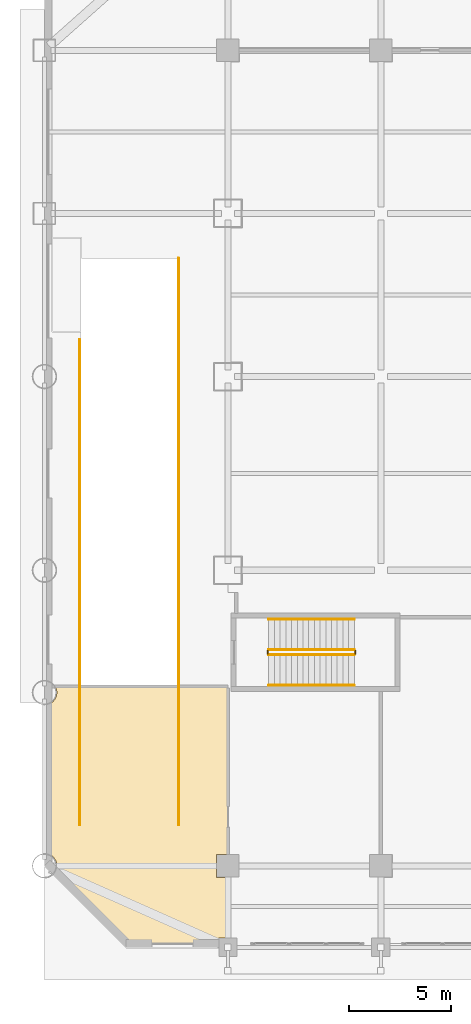
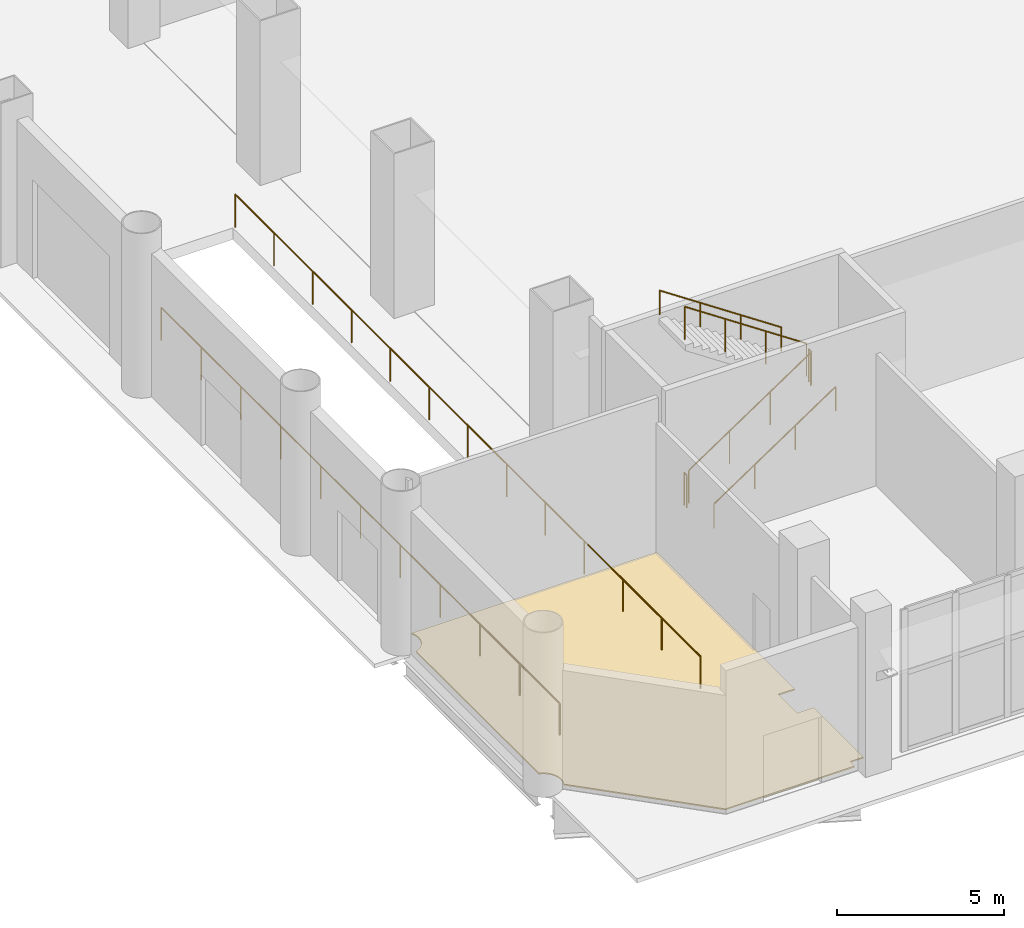
# One storey, part 15 of 19: 8 railings, 1 covering.
"""IFC4 building model written with IfcOpenShell, lengths in metres."""

import ifcopenshell
import ifcopenshell.guid

model = None  # the IFC model being written
_history = None  # IfcOwnerHistory: only IFC2X3 demands one
_inside = {}  # id of a spatial element -> (the spatial element, [elements in it])
_under = {}  # id of a project, library or spatial element -> (it, [spatial elements below it])
_declared = {}  # id of a project -> (the project, [libraries it declares])
_typed = {}  # id of a type object -> (the type object, [elements of that type])
_made_of = {}  # id of a material, layer set ... -> (it, [elements and type objects made of it])


def new_model(schema):
    """Start an empty IFC model of exactly this schema.

    Asked for "IFC4X3", IfcOpenShell would pick the latest addendum, in which some entities
    have other attributes; the version numbers below select the first issue.
    IFC2X3 requires an IfcOwnerHistory on every rooted entity: one is made here for all.
    """
    global model, _history
    if schema == "IFC4X3":
        model = ifcopenshell.file(schema_version=(4, 3, 0, 0))
    else:
        model = ifcopenshell.file(schema=schema)
    _inside.clear()
    _under.clear()
    _declared.clear()
    _typed.clear()
    _made_of.clear()
    _history = None
    if model.schema == "IFC2X3":
        org = make("IfcOrganization", Name="unknown")
        user = make(
            "IfcPersonAndOrganization",
            ThePerson=make("IfcPerson", FamilyName="unknown"),
            TheOrganization=org,
        )
        app = make(
            "IfcApplication",
            ApplicationDeveloper=org,
            Version="unknown",
            ApplicationFullName="unknown",
            ApplicationIdentifier="unknown",
        )
        _history = make(
            "IfcOwnerHistory",
            OwningUser=user,
            OwningApplication=app,
            ChangeAction="ADDED",
            CreationDate=0,
        )
    return model


def make(cls, **values):
    """One entity of the class cls with the attributes given. An attribute that is None is left unset."""
    return model.create_entity(
        cls, **{name: value for name, value in values.items() if value is not None}
    )


def rooted(cls, **values):
    """An entity with a GlobalId (a new one), such as an element, a storey or a relation."""
    return make(cls, GlobalId=ifcopenshell.guid.new(), OwnerHistory=_history, **values)


def si_unit(unit_type, name, prefix=None):
    """IfcSIUnit, for example si_unit("LENGTHUNIT", "METRE", prefix="MILLI")."""
    return make("IfcSIUnit", UnitType=unit_type, Prefix=prefix, Name=name)


def assignment(units):
    """IfcUnitAssignment: the units of a project."""
    return None if units is None else make("IfcUnitAssignment", Units=units)


def point(xyz):
    """IfcCartesianPoint."""
    return None if xyz is None else make("IfcCartesianPoint", Coordinates=xyz)


def direction(xyz):
    """IfcDirection."""
    return None if xyz is None else make("IfcDirection", DirectionRatios=xyz)


def frame(location, z_axis=None, x_axis=None):
    """IfcAxis2Placement3D, a coordinate frame: its origin and axes. An axis left out is left unset."""
    return make(
        "IfcAxis2Placement3D",
        Location=point(location),
        Axis=direction(z_axis),
        RefDirection=direction(x_axis),
    )


def frame_2d(location, x_axis=None):
    """IfcAxis2Placement2D, a coordinate frame in the plane: its origin and x axis."""
    return make(
        "IfcAxis2Placement2D", Location=point(location), RefDirection=direction(x_axis)
    )


def origin():
    """The frame at (0, 0, 0) with its axes left unset."""
    return frame((0.0, 0.0, 0.0))


def origin_2d():
    """The frame at (0, 0) in the plane with its x axis left unset."""
    return frame_2d((0.0, 0.0))


def place(relative_to, where):
    """IfcLocalPlacement: puts the frame where relative to a parent placement (None: the world)."""
    return make(
        "IfcLocalPlacement", PlacementRelTo=relative_to, RelativePlacement=where
    )


def context(
    kind, dimensions, precision=None, world=None, true_north=None, identifier=None
):
    """IfcGeometricRepresentationContext, for example the 3D "Model" context."""
    return make(
        "IfcGeometricRepresentationContext",
        ContextIdentifier=identifier,
        ContextType=kind,
        CoordinateSpaceDimension=dimensions,
        Precision=precision,
        WorldCoordinateSystem=world,
        TrueNorth=true_north,
    )


def subcontext(parent, identifier, kind, view, scale=None):
    """IfcGeometricRepresentationSubContext, for example "Body" below "Model"."""
    return make(
        "IfcGeometricRepresentationSubContext",
        ContextIdentifier=identifier,
        ContextType=kind,
        ParentContext=parent,
        TargetScale=scale,
        TargetView=view,
    )


def project(units=None, contexts=None):
    """IfcProject with its units and contexts."""
    return rooted(
        "IfcProject",
        Name="project",
        RepresentationContexts=contexts,
        UnitsInContext=assignment(units),
    )


def spatial(cls, under=None, at=None, **own):
    """A site, building, storey or space (cls), placed at a placement, below another one or the project."""
    s = rooted(cls, ObjectPlacement=at, **own)
    if under is not None:
        _under.setdefault(under.id(), (under, []))[1].append(s)
    return s


def polyline(points):
    """IfcPolyline through the points."""
    return make("IfcPolyline", Points=[point(p) for p in points])


def profile(cls, at=None, kind="AREA", **sizes):
    """A parametric profile (cls). Its sizes go by their IFC names, for example OverallWidth=200.0."""
    return make(cls, ProfileType=kind, Position=at, **sizes)


def circle(**sizes):
    """IfcCircleProfileDef."""
    return profile("IfcCircleProfileDef", **sizes)


def outline(outer, holes=None, kind="AREA"):
    """IfcArbitraryClosedProfileDef: a profile drawn as a closed curve; with holes, ...WithVoids."""
    if holes is None:
        return make("IfcArbitraryClosedProfileDef", ProfileType=kind, OuterCurve=outer)
    return make(
        "IfcArbitraryProfileDefWithVoids",
        ProfileType=kind,
        OuterCurve=outer,
        InnerCurves=holes,
    )


def extrude(swept, where, along, depth):
    """IfcExtrudedAreaSolid: the profile swept, set in the frame where, extruded along a direction by depth."""
    return make(
        "IfcExtrudedAreaSolid",
        SweptArea=swept,
        Position=where,
        ExtrudedDirection=direction(along),
        Depth=depth,
    )


def shape(context_of_items, identifier, shape_type, items):
    """IfcShapeRepresentation: the items that make up one representation, for example the "Body"."""
    return make(
        "IfcShapeRepresentation",
        ContextOfItems=context_of_items,
        RepresentationIdentifier=identifier,
        RepresentationType=shape_type,
        Items=items,
    )


def material(Name=None, Category=None):
    """IfcMaterial."""
    return make("IfcMaterial", Name=Name, Category=Category)


def layer(
    of_material, thickness, ventilated=None, Name=None, Category=None, Priority=None
):
    """IfcMaterialLayer: one layer of a wall or slab, of a material (None: an air gap)."""
    return make(
        "IfcMaterialLayer",
        Material=of_material,
        LayerThickness=thickness,
        IsVentilated=ventilated,
        Name=Name,
        Category=Category,
        Priority=Priority,
    )


def layer_set(layers, Name=None):
    """IfcMaterialLayerSet."""
    return make("IfcMaterialLayerSet", MaterialLayers=layers, LayerSetName=Name)


def made_of(thing, what):
    """Note that an element or type object is made of a material, layer set ...; save() writes the relation."""
    if what is not None:
        _made_of.setdefault(what.id(), (what, []))[1].append(thing)
    return thing


def type_object(cls, material=None, **own):
    """A type object (cls), such as IfcWallType, which elements share."""
    return made_of(rooted(cls, **own), material)


def element(
    cls,
    number,
    at=None,
    inside=None,
    cuts=None,
    type_object=None,
    material=None,
    context=None,
    identifier="Body",
    shape_type=None,
    held_by="IfcProductDefinitionShape",
    body=None,
    shapes=None,
    **own,
):
    """One element of the class cls, such as IfcWall. Its Tag is "e" and its number.

    at: its placement. inside: the storey or other place that contains it. cuts: it is an
    opening in that element (IfcRelVoidsElement). A single representation is given by context,
    identifier, shape_type and body (its items); several are given by shapes. held_by: the class
    of the entity that holds the representations. save() writes the other relations.
    """
    e = rooted(cls, Tag="e%d" % number, ObjectPlacement=at, **own)
    if body is not None:
        shapes = [shape(context, identifier, shape_type, body)]
    if shapes is not None:
        e.Representation = make(held_by, Representations=shapes)
    if inside is not None:
        _inside.setdefault(inside.id(), (inside, []))[1].append(e)
    if cuts is not None:
        rooted(
            "IfcRelVoidsElement", RelatingBuildingElement=cuts, RelatedOpeningElement=e
        )
    if type_object is not None:
        _typed.setdefault(type_object.id(), (type_object, []))[1].append(e)
    return made_of(e, material)


def aggregate(whole, parts):
    """IfcRelAggregates: a whole, such as a stair, and the parts it consists of."""
    return rooted("IfcRelAggregates", RelatingObject=whole, RelatedObjects=parts)


def save(model, path):
    """Write the relations noted so far, then the file.

    IfcRelAggregates (storeys below a building ...), IfcRelContainedInSpatialStructure (elements
    in a storey), IfcRelDefinesByType, IfcRelAssociatesMaterial and IfcRelDeclares: one each for
    every whole, place, type object, material and project.
    """
    for whole, parts in _under.values():
        aggregate(whole, parts)
    for where, things in _inside.values():
        rooted(
            "IfcRelContainedInSpatialStructure",
            RelatedElements=things,
            RelatingStructure=where,
        )
    for kind, things in _typed.values():
        rooted("IfcRelDefinesByType", RelatedObjects=things, RelatingType=kind)
    for what, things in _made_of.values():
        rooted("IfcRelAssociatesMaterial", RelatedObjects=things, RelatingMaterial=what)
    for by, libraries in _declared.values():
        rooted("IfcRelDeclares", RelatingContext=by, RelatedDefinitions=libraries)
    model.write(path)


model = new_model("IFC4")

# Units and contexts
model_context = context("Model", 3, precision=1e-05, world=origin(), true_north=direction((0.0, 1.0)))
body_context = subcontext(model_context, "Body", "Model", "MODEL_VIEW")
ifc_project = project(units=[si_unit("LENGTHUNIT", "METRE"), si_unit("AREAUNIT", "SQUARE_METRE"), si_unit("VOLUMEUNIT", "CUBIC_METRE"), si_unit("PLANEANGLEUNIT", "RADIAN"), si_unit("MASSUNIT", "GRAM", prefix="KILO")], contexts=[model_context])

# Site, building, storey
site_placement = place(None, origin())
site = spatial("IfcSite", under=ifc_project, at=site_placement, CompositionType="ELEMENT")
building_placement = place(site_placement, origin())
building = spatial("IfcBuilding", under=site, at=building_placement, Name="Qianrong Seaharbour Tower", CompositionType="ELEMENT")
storey_placement = place(building_placement, origin())
storey = spatial("IfcBuildingStorey", under=building, at=storey_placement, Name="L01", CompositionType="ELEMENT", Elevation=0.0)

# Covering
ifc_material_1 = material(Name="Calcium-sulphate raised access floor tile")
ifc_layer = layer(ifc_material_1, 0.044921875)
ifc_layer_set = layer_set([ifc_layer], Name="Calcium-sulphate raised access floor tile")
covering_type = type_object("IfcCoveringType", Name="COV-FLOOR-RAISED-45", PredefinedType="FLOORING", material=ifc_layer_set)
covering_placement = place(storey_placement, origin())
element("IfcCovering", 1, at=covering_placement, inside=storey, type_object=covering_type, Name="L01 Security Operations Office Finish Flooring", PredefinedType="FLOORING", context=body_context, shape_type="SweptSolid", body=[
    extrude(outline(polyline([(4.07666015625, 0.18505859375), (0.539794921875, 3.721923828125), (0.563720703125, 3.7666015625), (0.598388671875, 3.881103515625), (0.610107421875, 4.0), (0.598388671875, 4.118896484375), (0.563720703125, 4.2333984375), (0.507080078125, 4.3388671875), (0.431396484375, 4.431396484375), (0.3388671875, 4.507080078125), (0.2333984375, 4.563720703125), (0.18505859375, 4.578369140625), (0.18505859375, 11.921630859375), (0.2333984375, 11.936279296875), (0.3388671875, 11.992919921875), (0.431396484375, 12.068603515625), (0.507080078125, 12.1611328125), (0.563720703125, 12.2666015625), (0.598388671875, 12.381103515625), (0.610107421875, 12.5), (0.598388671875, 12.618896484375), (0.563720703125, 12.7333984375), (0.528076171875, 12.800048828125), (9.0, 12.800048828125), (9.0, 4.56005859375), (8.43994140625, 4.56005859375), (8.43994140625, 3.43994140625), (9.0, 3.43994140625), (9.0, 0.4599609375), (8.5400390625, 0.4599609375), (8.5400390625, 0.18505859375), (4.07666015625, 0.18505859375)])), origin(), (0.0, 0.0, 1.0), 0.044921875),
])

# Railings
ifc_material_2 = material(Name="Galvanized painted steel SN400B stair guard", Category="steel")
railing_type_1 = type_object("IfcRailingType", Name="RAIL-STAIR-GUARD-1220", PredefinedType="GUARDRAIL", material=ifc_material_2)
railing_1_placement = place(storey_placement, frame((11.0, 14.35009765625, 0.1875)))
element("IfcRailing", 2, at=railing_1_placement, inside=storey, type_object=railing_type_1, Name="L01 PST-3 stair guard 1", PredefinedType="GUARDRAIL", context=body_context, shape_type="SweptSolid", body=[
    extrude(circle(Radius=0.02392578125, at=origin_2d()), frame((0.0, 0.0, 1.19580078125), z_axis=(0.830904186295, 0.0, 0.556415522067), x_axis=(0.0, 1.0, 0.0)), (0.0, 0.0, 1.0), 5.0546875),
    extrude(circle(Radius=0.02099609375, at=origin_2d()), origin(), (0.0, 0.0, 1.0), 1.171875),
    extrude(circle(Radius=0.02099609375, at=origin_2d()), frame((1.39990234375, 0.0, 0.9375)), (0.0, 0.0, 1.0), 1.171875),
    extrude(circle(Radius=0.02099609375, at=origin_2d()), frame((2.800048828125, 0.0, 1.875)), (0.0, 0.0, 1.0), 1.171875),
    extrude(circle(Radius=0.02099609375, at=origin_2d()), frame((4.199951171875, 0.0, 2.8125)), (0.0, 0.0, 1.0), 1.171875),
])
railing_2_placement = place(storey_placement, frame((15.25, 14.39990234375, 3.0)))
element("IfcRailing", 3, at=railing_2_placement, inside=storey, type_object=railing_type_1, Name="L01 PST-3 stair guard 2", PredefinedType="GUARDRAIL", context=body_context, shape_type="SweptSolid", body=[
    extrude(circle(Radius=0.02392578125, at=origin_2d()), frame((0.0, 0.0, 1.19580078125), z_axis=(0.0, 1.0, 0.0), x_axis=(-1.0, 0.0, 0.0)), (0.0, 0.0, 1.0), 0.150146484375),
    extrude(circle(Radius=0.02099609375, at=origin_2d()), origin(), (0.0, 0.0, 1.0), 1.171875),
    extrude(circle(Radius=0.02099609375, at=origin_2d()), frame((0.0, 0.150146484375, 0.0)), (0.0, 0.0, 1.0), 1.171875),
])
railing_3_placement = place(storey_placement, frame((15.199951171875, 14.60009765625, 3.1875)))
element("IfcRailing", 4, at=railing_3_placement, inside=storey, type_object=railing_type_1, Name="L01 PST-3 stair guard 3", PredefinedType="GUARDRAIL", context=body_context, shape_type="SweptSolid", body=[
    extrude(circle(Radius=0.02392578125, at=origin_2d()), frame((0.0, 0.0, 1.19580078125), z_axis=(-0.830904186295, 0.0, 0.556415522067), x_axis=(0.0, -1.0, 0.0)), (0.0, 0.0, 1.0), 5.0546875),
    extrude(circle(Radius=0.02099609375, at=origin_2d()), origin(), (0.0, 0.0, 1.0), 1.171875),
    extrude(circle(Radius=0.02099609375, at=origin_2d()), frame((-1.39990234375, 0.0, 0.9375)), (0.0, 0.0, 1.0), 1.171875),
    extrude(circle(Radius=0.02099609375, at=origin_2d()), frame((-2.800048828125, 0.0, 1.875)), (0.0, 0.0, 1.0), 1.171875),
    extrude(circle(Radius=0.02099609375, at=origin_2d()), frame((-4.199951171875, 0.0, 2.8125)), (0.0, 0.0, 1.0), 1.171875),
])
railing_4_placement = place(storey_placement, frame((10.949951171875, 14.39990234375, 0.0)))
element("IfcRailing", 5, at=railing_4_placement, inside=storey, type_object=railing_type_1, Name="L01 PST-3 stair guard 4", PredefinedType="GUARDRAIL", context=body_context, shape_type="SweptSolid", body=[
    extrude(circle(Radius=0.02392578125, at=origin_2d()), frame((0.0, 0.0, 1.19580078125), z_axis=(0.0, 1.0, 0.0), x_axis=(-1.0, 0.0, 0.0)), (0.0, 0.0, 1.0), 0.150146484375),
    extrude(circle(Radius=0.02099609375, at=origin_2d()), origin(), (0.0, 0.0, 1.0), 1.171875),
    extrude(circle(Radius=0.02099609375, at=origin_2d()), frame((0.0, 0.150146484375, 0.0)), (0.0, 0.0, 1.0), 1.171875),
])
railing_5_placement = place(storey_placement, frame((6.580078125, 6.0, 0.0)))
element("IfcRailing", 6, at=railing_5_placement, inside=storey, type_object=railing_type_1, Name="L01 Car Park Ramp Well East Safety Guard", PredefinedType="GUARDRAIL", context=body_context, shape_type="SweptSolid", body=[
    extrude(circle(Radius=0.02392578125, at=origin_2d()), frame((0.0, 0.0, 1.19580078125), z_axis=(0.0, 1.0, 0.0), x_axis=(-1.0, 0.0, 0.0)), (0.0, 0.0, 1.0), 27.800048828125),
    extrude(circle(Radius=0.02099609375, at=origin_2d()), origin(), (0.0, 0.0, 1.0), 1.171875),
    extrude(circle(Radius=0.02099609375, at=origin_2d()), frame((0.0, 2.316650390625, 0.0)), (0.0, 0.0, 1.0), 1.171875),
    extrude(circle(Radius=0.02099609375, at=origin_2d()), frame((0.0, 4.63330078125, 0.0)), (0.0, 0.0, 1.0), 1.171875),
    extrude(circle(Radius=0.02099609375, at=origin_2d()), frame((0.0, 6.949951171875, 0.0)), (0.0, 0.0, 1.0), 1.171875),
    extrude(circle(Radius=0.02099609375, at=origin_2d()), frame((0.0, 9.2666015625, 0.0)), (0.0, 0.0, 1.0), 1.171875),
    extrude(circle(Radius=0.02099609375, at=origin_2d()), frame((0.0, 11.583251953125, 0.0)), (0.0, 0.0, 1.0), 1.171875),
    extrude(circle(Radius=0.02099609375, at=origin_2d()), frame((0.0, 13.89990234375, 0.0)), (0.0, 0.0, 1.0), 1.171875),
    extrude(circle(Radius=0.02099609375, at=origin_2d()), frame((0.0, 16.216796875, 0.0)), (0.0, 0.0, 1.0), 1.171875),
    extrude(circle(Radius=0.02099609375, at=origin_2d()), frame((0.0, 18.533447265625, 0.0)), (0.0, 0.0, 1.0), 1.171875),
    extrude(circle(Radius=0.02099609375, at=origin_2d()), frame((0.0, 20.85009765625, 0.0)), (0.0, 0.0, 1.0), 1.171875),
    extrude(circle(Radius=0.02099609375, at=origin_2d()), frame((0.0, 23.166748046875, 0.0)), (0.0, 0.0, 1.0), 1.171875),
    extrude(circle(Radius=0.02099609375, at=origin_2d()), frame((0.0, 25.4833984375, 0.0)), (0.0, 0.0, 1.0), 1.171875),
    extrude(circle(Radius=0.02099609375, at=origin_2d()), frame((0.0, 27.800048828125, 0.0)), (0.0, 0.0, 1.0), 1.171875),
])
railing_6_placement = place(storey_placement, frame((1.719970703125, 6.0, 0.0)))
element("IfcRailing", 7, at=railing_6_placement, inside=storey, type_object=railing_type_1, Name="L01 Car Park Ramp Well West Safety Guard", PredefinedType="GUARDRAIL", context=body_context, shape_type="SweptSolid", body=[
    extrude(circle(Radius=0.02392578125, at=origin_2d()), frame((0.0, 0.0, 1.19580078125), z_axis=(0.0, 1.0, 0.0), x_axis=(-1.0, 0.0, 0.0)), (0.0, 0.0, 1.0), 23.800048828125),
    extrude(circle(Radius=0.02099609375, at=origin_2d()), origin(), (0.0, 0.0, 1.0), 1.171875),
    extrude(circle(Radius=0.02099609375, at=origin_2d()), frame((0.0, 2.3798828125, 0.0)), (0.0, 0.0, 1.0), 1.171875),
    extrude(circle(Radius=0.02099609375, at=origin_2d()), frame((0.0, 4.760009765625, 0.0)), (0.0, 0.0, 1.0), 1.171875),
    extrude(circle(Radius=0.02099609375, at=origin_2d()), frame((0.0, 7.14013671875, 0.0)), (0.0, 0.0, 1.0), 1.171875),
    extrude(circle(Radius=0.02099609375, at=origin_2d()), frame((0.0, 9.52001953125, 0.0)), (0.0, 0.0, 1.0), 1.171875),
    extrude(circle(Radius=0.02099609375, at=origin_2d()), frame((0.0, 11.89990234375, 0.0)), (0.0, 0.0, 1.0), 1.171875),
    extrude(circle(Radius=0.02099609375, at=origin_2d()), frame((0.0, 14.280029296875, 0.0)), (0.0, 0.0, 1.0), 1.171875),
    extrude(circle(Radius=0.02099609375, at=origin_2d()), frame((0.0, 16.66015625, 0.0)), (0.0, 0.0, 1.0), 1.171875),
    extrude(circle(Radius=0.02099609375, at=origin_2d()), frame((0.0, 19.0400390625, 0.0)), (0.0, 0.0, 1.0), 1.171875),
    extrude(circle(Radius=0.02099609375, at=origin_2d()), frame((0.0, 21.419921875, 0.0)), (0.0, 0.0, 1.0), 1.171875),
    extrude(circle(Radius=0.02099609375, at=origin_2d()), frame((0.0, 23.800048828125, 0.0)), (0.0, 0.0, 1.0), 1.171875),
])
ifc_material_3 = material(Name="Stainless steel SUS316L continuous handrail", Category="steel")
railing_type_2 = type_object("IfcRailingType", Name="RAIL-STAIR-HANDRAIL-900", PredefinedType="HANDRAIL", material=ifc_material_3)
railing_7_placement = place(storey_placement, frame((11.0, 12.85009765625, 0.1875)))
element("IfcRailing", 8, at=railing_7_placement, inside=storey, type_object=railing_type_2, Name="L01 PST-3 stair handrail 1", PredefinedType="HANDRAIL", context=body_context, shape_type="SweptSolid", body=[
    extrude(circle(Radius=0.02392578125, at=origin_2d()), frame((0.0, 0.0, 0.8759765625), z_axis=(0.830904186295, 0.0, 0.556415522067), x_axis=(0.0, 1.0, 0.0)), (0.0, 0.0, 1.0), 5.0546875),
    extrude(circle(Radius=0.02099609375, at=origin_2d()), origin(), (0.0, 0.0, 1.0), 0.851806640625),
    extrude(circle(Radius=0.02099609375, at=origin_2d()), frame((1.39990234375, 0.0, 0.9375)), (0.0, 0.0, 1.0), 0.851806640625),
    extrude(circle(Radius=0.02099609375, at=origin_2d()), frame((2.800048828125, 0.0, 1.875)), (0.0, 0.0, 1.0), 0.851806640625),
    extrude(circle(Radius=0.02099609375, at=origin_2d()), frame((4.199951171875, 0.0, 2.8125)), (0.0, 0.0, 1.0), 0.851806640625),
])
railing_8_placement = place(storey_placement, frame((15.199951171875, 16.10009765625, 3.1875)))
element("IfcRailing", 9, at=railing_8_placement, inside=storey, type_object=railing_type_2, Name="L01 PST-3 stair handrail 2", PredefinedType="HANDRAIL", context=body_context, shape_type="SweptSolid", body=[
    extrude(circle(Radius=0.02392578125, at=origin_2d()), frame((0.0, 0.0, 0.8759765625), z_axis=(-0.830904186295, 0.0, 0.556415522067), x_axis=(0.0, -1.0, 0.0)), (0.0, 0.0, 1.0), 5.0546875),
    extrude(circle(Radius=0.02099609375, at=origin_2d()), origin(), (0.0, 0.0, 1.0), 0.851806640625),
    extrude(circle(Radius=0.02099609375, at=origin_2d()), frame((-1.39990234375, 0.0, 0.9375)), (0.0, 0.0, 1.0), 0.851806640625),
    extrude(circle(Radius=0.02099609375, at=origin_2d()), frame((-2.800048828125, 0.0, 1.875)), (0.0, 0.0, 1.0), 0.851806640625),
    extrude(circle(Radius=0.02099609375, at=origin_2d()), frame((-4.199951171875, 0.0, 2.8125)), (0.0, 0.0, 1.0), 0.851806640625),
])

save(model, "model.ifc")
